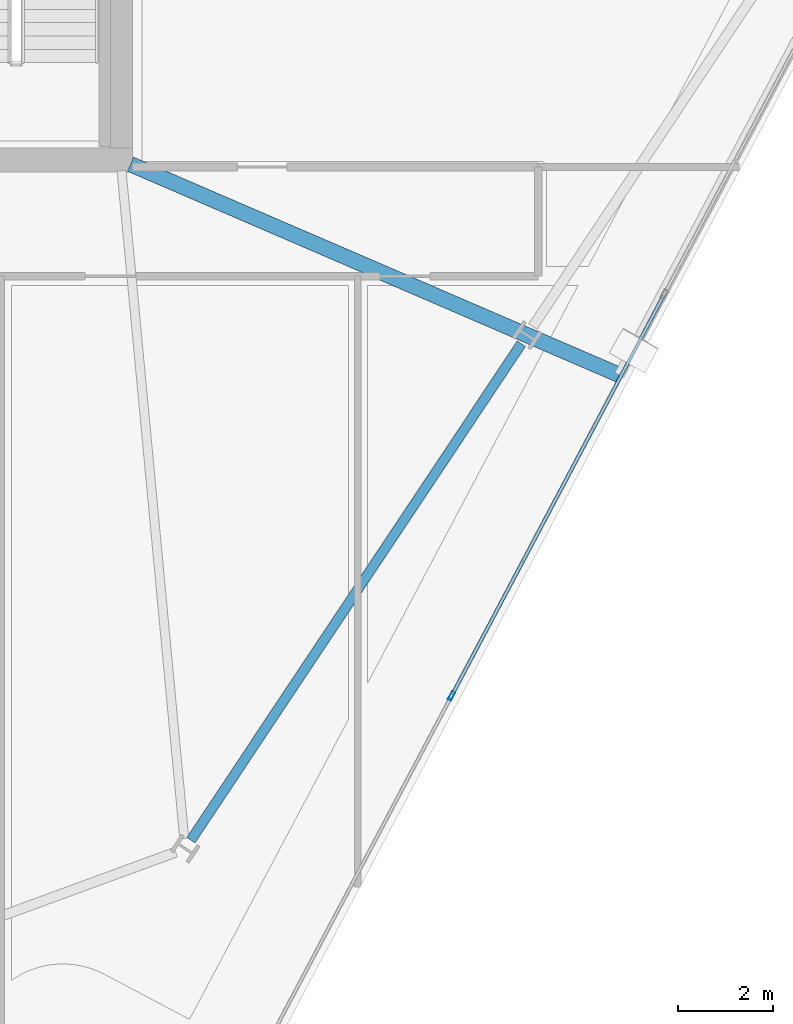
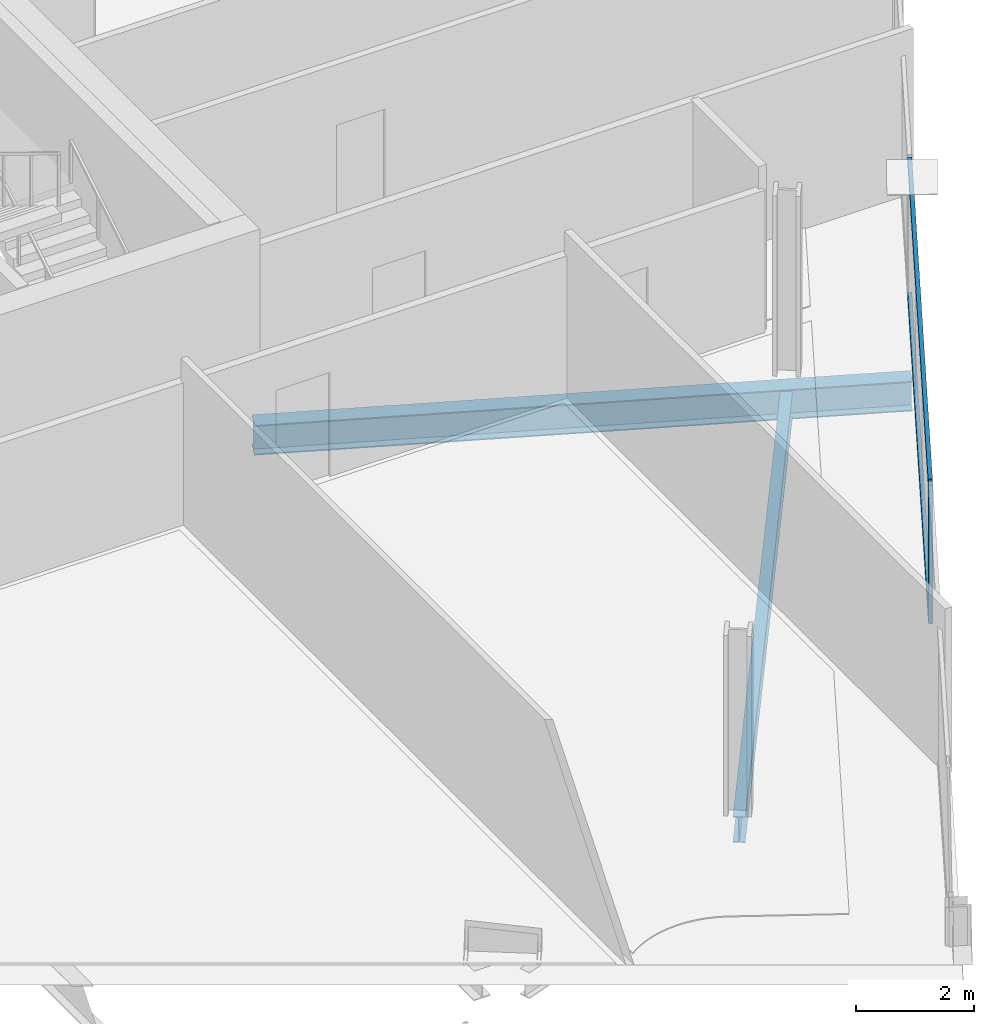
# One storey, part 10 of 28: 3 members, 2 beams, 1 element without a shape of its own.
"""IFC4 building model written with IfcOpenShell, lengths in metres."""

import ifcopenshell
import ifcopenshell.guid

model = None  # the IFC model being written
_history = None  # IfcOwnerHistory: only IFC2X3 demands one
_inside = {}  # id of a spatial element -> (the spatial element, [elements in it])
_under = {}  # id of a project, library or spatial element -> (it, [spatial elements below it])
_declared = {}  # id of a project -> (the project, [libraries it declares])
_typed = {}  # id of a type object -> (the type object, [elements of that type])
_made_of = {}  # id of a material, layer set ... -> (it, [elements and type objects made of it])


def new_model(schema):
    """Start an empty IFC model of exactly this schema.

    Asked for "IFC4X3", IfcOpenShell would pick the latest addendum, in which some entities
    have other attributes; the version numbers below select the first issue.
    IFC2X3 requires an IfcOwnerHistory on every rooted entity: one is made here for all.
    """
    global model, _history
    if schema == "IFC4X3":
        model = ifcopenshell.file(schema_version=(4, 3, 0, 0))
    else:
        model = ifcopenshell.file(schema=schema)
    _inside.clear()
    _under.clear()
    _declared.clear()
    _typed.clear()
    _made_of.clear()
    _history = None
    if model.schema == "IFC2X3":
        org = make("IfcOrganization", Name="unknown")
        user = make(
            "IfcPersonAndOrganization",
            ThePerson=make("IfcPerson", FamilyName="unknown"),
            TheOrganization=org,
        )
        app = make(
            "IfcApplication",
            ApplicationDeveloper=org,
            Version="unknown",
            ApplicationFullName="unknown",
            ApplicationIdentifier="unknown",
        )
        _history = make(
            "IfcOwnerHistory",
            OwningUser=user,
            OwningApplication=app,
            ChangeAction="ADDED",
            CreationDate=0,
        )
    return model


def make(cls, **values):
    """One entity of the class cls with the attributes given. An attribute that is None is left unset."""
    return model.create_entity(
        cls, **{name: value for name, value in values.items() if value is not None}
    )


def rooted(cls, **values):
    """An entity with a GlobalId (a new one), such as an element, a storey or a relation."""
    return make(cls, GlobalId=ifcopenshell.guid.new(), OwnerHistory=_history, **values)


def si_unit(unit_type, name, prefix=None):
    """IfcSIUnit, for example si_unit("LENGTHUNIT", "METRE", prefix="MILLI")."""
    return make("IfcSIUnit", UnitType=unit_type, Prefix=prefix, Name=name)


def assignment(units):
    """IfcUnitAssignment: the units of a project."""
    return None if units is None else make("IfcUnitAssignment", Units=units)


def point(xyz):
    """IfcCartesianPoint."""
    return None if xyz is None else make("IfcCartesianPoint", Coordinates=xyz)


def direction(xyz):
    """IfcDirection."""
    return None if xyz is None else make("IfcDirection", DirectionRatios=xyz)


def frame(location, z_axis=None, x_axis=None):
    """IfcAxis2Placement3D, a coordinate frame: its origin and axes. An axis left out is left unset."""
    return make(
        "IfcAxis2Placement3D",
        Location=point(location),
        Axis=direction(z_axis),
        RefDirection=direction(x_axis),
    )


def frame_2d(location, x_axis=None):
    """IfcAxis2Placement2D, a coordinate frame in the plane: its origin and x axis."""
    return make(
        "IfcAxis2Placement2D", Location=point(location), RefDirection=direction(x_axis)
    )


def origin():
    """The frame at (0, 0, 0) with its axes left unset."""
    return frame((0.0, 0.0, 0.0))


def origin_2d():
    """The frame at (0, 0) in the plane with its x axis left unset."""
    return frame_2d((0.0, 0.0))


def place(relative_to, where):
    """IfcLocalPlacement: puts the frame where relative to a parent placement (None: the world)."""
    return make(
        "IfcLocalPlacement", PlacementRelTo=relative_to, RelativePlacement=where
    )


def context(
    kind, dimensions, precision=None, world=None, true_north=None, identifier=None
):
    """IfcGeometricRepresentationContext, for example the 3D "Model" context."""
    return make(
        "IfcGeometricRepresentationContext",
        ContextIdentifier=identifier,
        ContextType=kind,
        CoordinateSpaceDimension=dimensions,
        Precision=precision,
        WorldCoordinateSystem=world,
        TrueNorth=true_north,
    )


def subcontext(parent, identifier, kind, view, scale=None):
    """IfcGeometricRepresentationSubContext, for example "Body" below "Model"."""
    return make(
        "IfcGeometricRepresentationSubContext",
        ContextIdentifier=identifier,
        ContextType=kind,
        ParentContext=parent,
        TargetScale=scale,
        TargetView=view,
    )


def project(units=None, contexts=None):
    """IfcProject with its units and contexts."""
    return rooted(
        "IfcProject",
        Name="project",
        RepresentationContexts=contexts,
        UnitsInContext=assignment(units),
    )


def spatial(cls, under=None, at=None, **own):
    """A site, building, storey or space (cls), placed at a placement, below another one or the project."""
    s = rooted(cls, ObjectPlacement=at, **own)
    if under is not None:
        _under.setdefault(under.id(), (under, []))[1].append(s)
    return s


def profile(cls, at=None, kind="AREA", **sizes):
    """A parametric profile (cls). Its sizes go by their IFC names, for example OverallWidth=200.0."""
    return make(cls, ProfileType=kind, Position=at, **sizes)


def hollow_rectangle(**sizes):
    """IfcRectangleHollowProfileDef."""
    return profile("IfcRectangleHollowProfileDef", **sizes)


def i_section(**sizes):
    """IfcIShapeProfileDef."""
    return profile("IfcIShapeProfileDef", **sizes)


def extrude(swept, where, along, depth):
    """IfcExtrudedAreaSolid: the profile swept, set in the frame where, extruded along a direction by depth."""
    return make(
        "IfcExtrudedAreaSolid",
        SweptArea=swept,
        Position=where,
        ExtrudedDirection=direction(along),
        Depth=depth,
    )


def shape(context_of_items, identifier, shape_type, items):
    """IfcShapeRepresentation: the items that make up one representation, for example the "Body"."""
    return make(
        "IfcShapeRepresentation",
        ContextOfItems=context_of_items,
        RepresentationIdentifier=identifier,
        RepresentationType=shape_type,
        Items=items,
    )


def material(Name=None, Category=None):
    """IfcMaterial."""
    return make("IfcMaterial", Name=Name, Category=Category)


def material_profile(
    of_material, cross_section, Name=None, Category=None, Priority=None
):
    """IfcMaterialProfile: a cross section and its material."""
    return make(
        "IfcMaterialProfile",
        Name=Name,
        Material=of_material,
        Profile=cross_section,
        Priority=Priority,
        Category=Category,
    )


def profile_set(profiles, Name=None, composite=None):
    """IfcMaterialProfileSet."""
    return make(
        "IfcMaterialProfileSet",
        Name=Name,
        MaterialProfiles=profiles,
        CompositeProfile=composite,
    )


def made_of(thing, what):
    """Note that an element or type object is made of a material, layer set ...; save() writes the relation."""
    if what is not None:
        _made_of.setdefault(what.id(), (what, []))[1].append(thing)
    return thing


def type_object(cls, material=None, **own):
    """A type object (cls), such as IfcWallType, which elements share."""
    return made_of(rooted(cls, **own), material)


def element(
    cls,
    number,
    at=None,
    inside=None,
    cuts=None,
    type_object=None,
    material=None,
    context=None,
    identifier="Body",
    shape_type=None,
    held_by="IfcProductDefinitionShape",
    body=None,
    shapes=None,
    **own,
):
    """One element of the class cls, such as IfcWall. Its Tag is "e" and its number.

    at: its placement. inside: the storey or other place that contains it. cuts: it is an
    opening in that element (IfcRelVoidsElement). A single representation is given by context,
    identifier, shape_type and body (its items); several are given by shapes. held_by: the class
    of the entity that holds the representations. save() writes the other relations.
    """
    e = rooted(cls, Tag="e%d" % number, ObjectPlacement=at, **own)
    if body is not None:
        shapes = [shape(context, identifier, shape_type, body)]
    if shapes is not None:
        e.Representation = make(held_by, Representations=shapes)
    if inside is not None:
        _inside.setdefault(inside.id(), (inside, []))[1].append(e)
    if cuts is not None:
        rooted(
            "IfcRelVoidsElement", RelatingBuildingElement=cuts, RelatedOpeningElement=e
        )
    if type_object is not None:
        _typed.setdefault(type_object.id(), (type_object, []))[1].append(e)
    return made_of(e, material)


def aggregate(whole, parts):
    """IfcRelAggregates: a whole, such as a stair, and the parts it consists of."""
    return rooted("IfcRelAggregates", RelatingObject=whole, RelatedObjects=parts)


def save(model, path):
    """Write the relations noted so far, then the file.

    IfcRelAggregates (storeys below a building ...), IfcRelContainedInSpatialStructure (elements
    in a storey), IfcRelDefinesByType, IfcRelAssociatesMaterial and IfcRelDeclares: one each for
    every whole, place, type object, material and project.
    """
    for whole, parts in _under.values():
        aggregate(whole, parts)
    for where, things in _inside.values():
        rooted(
            "IfcRelContainedInSpatialStructure",
            RelatedElements=things,
            RelatingStructure=where,
        )
    for kind, things in _typed.values():
        rooted("IfcRelDefinesByType", RelatedObjects=things, RelatingType=kind)
    for what, things in _made_of.values():
        rooted("IfcRelAssociatesMaterial", RelatedObjects=things, RelatingMaterial=what)
    for by, libraries in _declared.values():
        rooted("IfcRelDeclares", RelatingContext=by, RelatedDefinitions=libraries)
    model.write(path)


model = new_model("IFC4")

# Units and contexts
model_context = context("Model", 3, precision=1e-05, world=origin(), true_north=direction((0.0, 1.0)))
body_context = subcontext(model_context, "Body", "Model", "MODEL_VIEW")
ifc_project = project(units=[si_unit("LENGTHUNIT", "METRE"), si_unit("AREAUNIT", "SQUARE_METRE"), si_unit("VOLUMEUNIT", "CUBIC_METRE"), si_unit("PLANEANGLEUNIT", "RADIAN"), si_unit("MASSUNIT", "GRAM", prefix="KILO")], contexts=[model_context])

# Site, building, storey
site_placement = place(None, origin())
site = spatial("IfcSite", under=ifc_project, at=site_placement, CompositionType="ELEMENT")
building_placement = place(site_placement, origin())
building = spatial("IfcBuilding", under=site, at=building_placement, Name="Haldenkirk Collegiate Tower", CompositionType="ELEMENT")
storey_placement = place(building_placement, frame((0.0, 0.0, 235.949951171875)))
storey = spatial("IfcBuildingStorey", under=building, at=storey_placement, Name="L59", CompositionType="ELEMENT", Elevation=235.949951171875)

# Beams
ifc_material_1 = material(Name="Steel ASTM A992 Grade 50", Category="steel")
ifc_material_profile_1 = material_profile(ifc_material_1, i_section(OverallWidth=0.324951171875, OverallDepth=0.615966796875, WebThickness=0.013916015625, FlangeThickness=0.021484375, at=origin_2d()), Name="W24X117")
ifc_profile_set_1 = profile_set([ifc_material_profile_1], Name="Steel ASTM A992 Grade 50")
beam_type_1 = type_object("IfcBeamType", Name="BM-GIRDER-W24X117", PredefinedType="BEAM", material=ifc_profile_set_1)
beam_1_placement = place(storey_placement, frame((55.50927734375, 13.4697265625, -0.587890625), z_axis=(-0.918311942561, 0.395857520011, 0.0), x_axis=(-0.395857520011, -0.918311942561, 0.0)))
element("IfcBeam", 1, at=beam_1_placement, inside=storey, type_object=beam_type_1, Name="L59 primary floor girder 06", PredefinedType="BEAM", context=body_context, shape_type="SweptSolid", body=[
    extrude(i_section(OverallWidth=0.324951171875, OverallDepth=0.615966796875, WebThickness=0.013916015625, FlangeThickness=0.021484375, at=origin_2d()), origin(), (0.0, 0.0, 1.0), 11.214111328125),
])
ifc_material_profile_2 = material_profile(ifc_material_1, i_section(OverallWidth=0.2099609375, OverallDepth=0.537109375, WebThickness=0.010986328125, FlangeThickness=0.017333984375, at=origin_2d()), Name="W21X68")
ifc_profile_set_2 = profile_set([ifc_material_profile_2], Name="Steel ASTM A992 Grade 50")
beam_type_2 = type_object("IfcBeamType", Name="BM-SPANDREL-W21X68", PredefinedType="SPANDREL", material=ifc_profile_set_2)
beam_2_placement = place(storey_placement, frame((46.4833984375, 3.67041015625, -0.54833984375), z_axis=(0.554112521622, 0.832441777773, 0.0), x_axis=(-0.832441777773, 0.554112521622, 0.0)))
element("IfcBeam", 2, at=beam_2_placement, inside=storey, type_object=beam_type_2, Name="L59 perimeter spandrel beam 02", PredefinedType="SPANDREL", context=body_context, shape_type="SweptSolid", body=[
    extrude(i_section(OverallWidth=0.2099609375, OverallDepth=0.537109375, WebThickness=0.010986328125, FlangeThickness=0.017333984375, at=origin_2d()), origin(), (0.0, 0.0, 1.0), 12.561767578125),
])

# Curtain wall, members
ifc_material_2 = material(Name="Anodised architectural bronze aluminium", Category="aluminium")
curtain_wall_type = type_object("IfcCurtainWallType", Name="CW-SYS2-CONCAVE", PredefinedType="USERDEFINED", material=ifc_material_2)
curtain_wall_placement = place(storey_placement, origin())
curtain_wall = element("IfcCurtainWall", 3, at=curtain_wall_placement, inside=storey, type_object=curtain_wall_type, Name="L59 South concave recessed bronze-anodised curtain wall", ObjectType="UNITISED CURTAIN WALL", PredefinedType="USERDEFINED")
ifc_material_profile_3 = material_profile(ifc_material_2, hollow_rectangle(XDim=0.074951171875, YDim=0.18994140625, WallThickness=0.0048828125, at=origin_2d()), Name="CW-MUL-02")
ifc_profile_set_3 = profile_set([ifc_material_profile_3], Name="Anodised architectural bronze aluminium")
member_type_1 = type_object("IfcMemberType", Name="CW-MUL-02", PredefinedType="MULLION", material=ifc_profile_set_3)
member_1_placement = place(storey_placement, frame((51.974365234375, 6.707763671875, 0.0), z_axis=(0.0, 0.0, 1.0), x_axis=(0.883764543584, -0.467931866304, 0.0)))
member_1 = element("IfcMember", 4, at=member_1_placement, type_object=member_type_1, Name="CW-02 mullion 4", PredefinedType="MULLION", context=body_context, shape_type="SweptSolid", body=[
    extrude(hollow_rectangle(XDim=0.074951171875, YDim=0.18994140625, WallThickness=0.0048828125, at=origin_2d()), origin(), (0.0, 0.0, 1.0), 2.858154296875),
])
ifc_material_profile_4 = material_profile(ifc_material_2, hollow_rectangle(XDim=0.074951171875, YDim=0.159912109375, WallThickness=0.0048828125, at=origin_2d()), Name="CW-TRN-02")
ifc_profile_set_4 = profile_set([ifc_material_profile_4], Name="Anodised architectural bronze aluminium")
member_type_2 = type_object("IfcMemberType", Name="CW-TRN-02", PredefinedType="USERDEFINED", material=ifc_profile_set_4)
member_2_placement = place(storey_placement, frame((56.437255859375, 15.136474609375, 0.03759765625), z_axis=(-0.467949118542, -0.883755408728, 0.0), x_axis=(0.883755408728, -0.467949118542, 0.0)))
member_2 = element("IfcMember", 5, at=member_2_placement, type_object=member_type_2, Name="CW-02 transom 3.1", ObjectType="TRANSOM", PredefinedType="USERDEFINED", context=body_context, shape_type="SweptSolid", body=[
    extrude(hollow_rectangle(XDim=0.074951171875, YDim=0.159912109375, WallThickness=0.0048828125, at=origin_2d()), origin(), (0.0, 0.0, 1.0), 9.5),
])
member_3_placement = place(storey_placement, frame((56.437255859375, 15.136474609375, 2.820556640625), z_axis=(-0.467949118542, -0.883755408728, 0.0), x_axis=(0.883755408728, -0.467949118542, 0.0)))
member_3 = element("IfcMember", 6, at=member_3_placement, type_object=member_type_2, Name="CW-02 transom 3.2", ObjectType="TRANSOM", PredefinedType="USERDEFINED", context=body_context, shape_type="SweptSolid", body=[
    extrude(hollow_rectangle(XDim=0.074951171875, YDim=0.159912109375, WallThickness=0.0048828125, at=origin_2d()), origin(), (0.0, 0.0, 1.0), 9.5),
])
aggregate(curtain_wall, [member_1, member_2, member_3])

save(model, "model.ifc")
